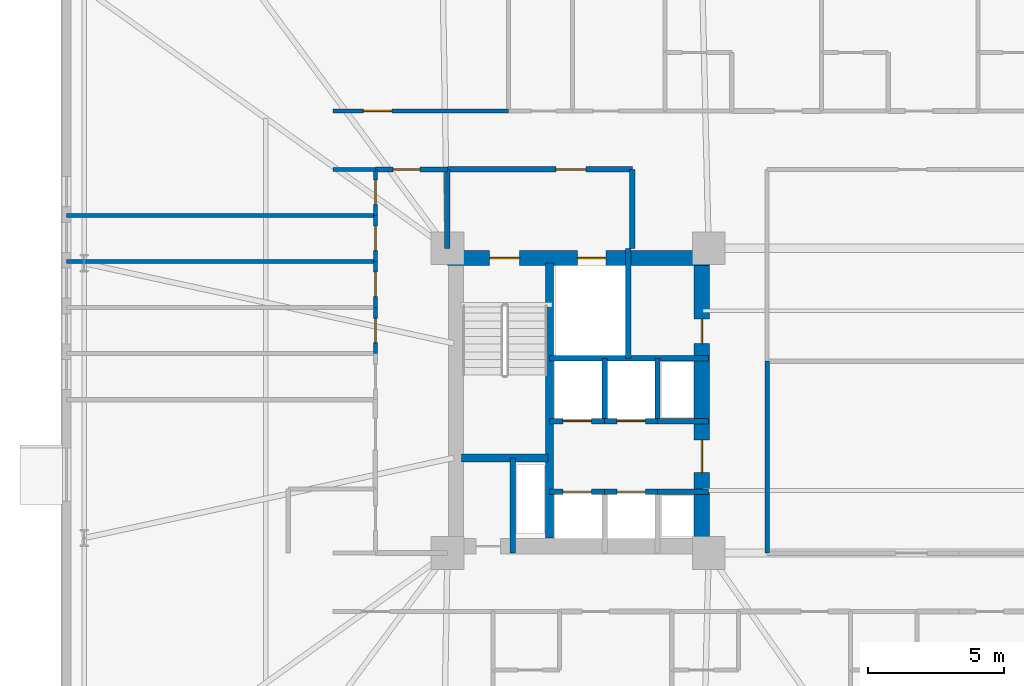
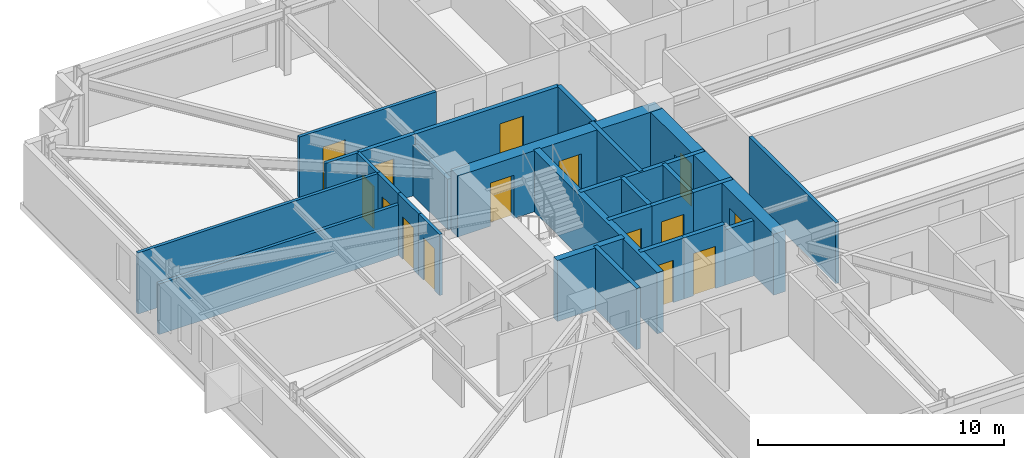
# One storey, part 15 of 21: 28 walls, 15 doors, 15 openings.
"""IFC4 building model written with IfcOpenShell, lengths in metres."""

from ifc_helpers import new_model, si_unit, direction, frame, frame_2d, origin, place, context, subcontext, project, spatial, rectangle, extrude, material, layer, layer_set, type_object, element, fill, save


model = new_model("IFC4")

# Units and contexts
model_context = context("Model", 3, precision=1e-05, world=origin(), true_north=direction((0.0, 1.0)))
body_context = subcontext(model_context, "Body", "Model", "MODEL_VIEW")
ifc_project = project(units=[si_unit("LENGTHUNIT", "METRE"), si_unit("AREAUNIT", "SQUARE_METRE"), si_unit("VOLUMEUNIT", "CUBIC_METRE"), si_unit("PLANEANGLEUNIT", "RADIAN"), si_unit("MASSUNIT", "GRAM", prefix="KILO")], contexts=[model_context])

# Site, building, storey
site_placement = place(None, origin())
site = spatial("IfcSite", under=ifc_project, at=site_placement, CompositionType="ELEMENT")
building_placement = place(site_placement, origin())
building = spatial("IfcBuilding", under=site, at=building_placement, Name="Qobustan Lattice House", CompositionType="ELEMENT")
storey_placement = place(building_placement, frame((0.0, 0.0, 57.14990234375)))
storey = spatial("IfcBuildingStorey", under=building, at=storey_placement, Name="L15", CompositionType="ELEMENT", Elevation=57.14990234375)

# Wall, openings, doors
ifc_material_1 = material(Name="Concrete C60/75", Category="concrete")
ifc_layer_1 = layer(ifc_material_1, 0.56005859375)
ifc_layer_set_1 = layer_set([ifc_layer_1], Name="Concrete C60/75")
wall_type_1 = type_object("IfcWallType", Name="WAL-CORE-600", PredefinedType="SHEAR", material=ifc_layer_set_1)
wall_1_placement = place(storey_placement, frame((-18.800048828125, 5.239990234375, 0.0), z_axis=(0.0, 0.0, 1.0), x_axis=(1.0, 0.0, 0.0)))
wall_1 = element("IfcWall", 1, at=wall_1_placement, inside=storey, type_object=wall_type_1, Name="L15 split-core shear wall CW-N", PredefinedType="SHEAR", context=body_context, shape_type="SweptSolid", body=[
    extrude(rectangle(XDim=9.60009765625, YDim=0.56005859375, at=frame_2d((4.800048828125, 0.0))), origin(), (0.0, 0.0, 1.0), 3.03515625),
])
opening_1_placement = place(wall_1_placement, frame((1.550048828125, 0.0, 0.0)))
opening_1 = element("IfcOpeningElement", 2, at=opening_1_placement, cuts=wall_1, Name="Opening SD-01", PredefinedType="OPENING", context=body_context, shape_type="SweptSolid", body=[
    extrude(rectangle(XDim=1.10009765625, YDim=2.14990234375, at=frame_2d((0.550048828125, 1.074951171875))), frame((0.0, 0.2900390625, 0.0), z_axis=(0.0, -1.0, 0.0), x_axis=(1.0, 0.0, 0.0)), (0.0, 0.0, 1.0), 0.580078125),
])
opening_2_placement = place(wall_1_placement, frame((4.77490234375, 0.0, 0.0)))
opening_2 = element("IfcOpeningElement", 3, at=opening_2_placement, cuts=wall_1, Name="Opening LD-01", PredefinedType="OPENING", context=body_context, shape_type="SweptSolid", body=[
    extrude(rectangle(XDim=1.050048828125, YDim=2.10009765625, at=frame_2d((0.52490234375, 1.050048828125))), frame((0.0, 0.2900390625, 0.0), z_axis=(0.0, -1.0, 0.0), x_axis=(1.0, 0.0, 0.0)), (0.0, 0.0, 1.0), 0.580078125),
])
ifc_material_2 = material(Name="Persian walnut timber and steel frame door", Category="steel")
door_type_1 = type_object("IfcDoorType", Name="DOR-LIFT-LD-1050x2100", OperationType="NOTDEFINED", PredefinedType="DOOR", material=ifc_material_2)
door_1_placement = place(opening_2_placement, origin())
door_1 = element("IfcDoor", 4, at=door_1_placement, inside=storey, type_object=door_type_1, Name="L15 firefighting lift FF-W landing door", OperationType="DOUBLE_DOOR_SLIDING", OverallHeight=2.10009765625, OverallWidth=1.050048828125, PredefinedType="DOOR", context=body_context, shape_type="SweptSolid", body=[
    extrude(rectangle(XDim=1.050048828125, YDim=2.10009765625, at=frame_2d((0.52490234375, 1.050048828125))), frame((0.0, 0.02490234375, 0.0), z_axis=(0.0, -1.0, 0.0), x_axis=(1.0, 0.0, 0.0)), (0.0, 0.0, 1.0), 0.050048828125),
])
fill(opening_2, door_1)
ifc_material_3 = material(Name="Persian walnut timber and steel frame door", Category="steel")
door_type_2 = type_object("IfcDoorType", Name="DOR-STAIR-FD-1100x2150", OperationType="NOTDEFINED", PredefinedType="DOOR", material=ifc_material_3)
door_2_placement = place(opening_1_placement, origin())
door_2 = element("IfcDoor", 5, at=door_2_placement, inside=storey, type_object=door_type_2, Name="L15 exit stair ST-W1 fire door", OperationType="SINGLE_SWING_RIGHT", OverallHeight=2.14990234375, OverallWidth=1.10009765625, PredefinedType="DOOR", context=body_context, shape_type="SweptSolid", body=[
    extrude(rectangle(XDim=1.10009765625, YDim=2.14990234375, at=frame_2d((0.550048828125, 1.074951171875))), frame((0.0, 0.02490234375, 0.0), z_axis=(0.0, -1.0, 0.0), x_axis=(1.0, 0.0, 0.0)), (0.0, 0.0, 1.0), 0.050048828125),
])
fill(opening_1, door_2)

wall_2_placement = place(storey_placement, frame((-9.449951171875, -5.050048828125, 0.0), z_axis=(0.0, 0.0, 1.0), x_axis=(0.0, 1.0, 0.0)))
wall_2 = element("IfcWall", 6, at=wall_2_placement, inside=storey, type_object=wall_type_1, Name="L15 split-core shear wall CW-E", PredefinedType="SHEAR", context=body_context, shape_type="SweptSolid", body=[
    extrude(rectangle(XDim=10.10009765625, YDim=0.56005859375, at=frame_2d((5.050048828125, 0.0))), origin(), (0.0, 0.0, 1.0), 3.03515625),
])
opening_3_placement = place(wall_2_placement, frame((7.14990234375, 0.0, 0.0)))
opening_3 = element("IfcOpeningElement", 7, at=opening_3_placement, cuts=wall_2, Name="Opening RD-01", PredefinedType="OPENING", context=body_context, shape_type="SweptSolid", body=[
    extrude(rectangle(XDim=0.89990234375, YDim=2.10009765625, at=frame_2d((0.449951171875, 1.050048828125))), frame((0.0, 0.2900390625, 0.0), z_axis=(0.0, -1.0, 0.0), x_axis=(1.0, 0.0, 0.0)), (0.0, 0.0, 1.0), 0.580078125),
])
opening_4_placement = place(wall_2_placement, frame((2.39990234375, 0.0, 0.0)))
opening_4 = element("IfcOpeningElement", 8, at=opening_4_placement, cuts=wall_2, Name="Opening FD-01", PredefinedType="OPENING", context=body_context, shape_type="SweptSolid", body=[
    extrude(rectangle(XDim=1.199951171875, YDim=2.14990234375, at=frame_2d((0.60009765625, 1.074951171875))), frame((0.0, 0.2900390625, 0.0), z_axis=(0.0, -1.0, 0.0), x_axis=(1.0, 0.0, 0.0)), (0.0, 0.0, 1.0), 0.580078125),
])
ifc_material_4 = material(Name="Persian walnut timber and steel frame door", Category="steel")
door_type_3 = type_object("IfcDoorType", Name="DOR-LOBBY-FD-1200x2150", OperationType="NOTDEFINED", PredefinedType="DOOR", material=ifc_material_4)
door_3_placement = place(opening_4_placement, origin())
door_3 = element("IfcDoor", 9, at=door_3_placement, inside=storey, type_object=door_type_3, Name="L15 West passenger lift lobby fire door", OperationType="SINGLE_SWING_RIGHT", OverallHeight=2.14990234375, OverallWidth=1.199951171875, PredefinedType="DOOR", context=body_context, shape_type="SweptSolid", body=[
    extrude(rectangle(XDim=1.199951171875, YDim=2.14990234375, at=frame_2d((0.60009765625, 1.074951171875))), frame((0.0, 0.02490234375, 0.0), z_axis=(0.0, -1.0, 0.0), x_axis=(1.0, 0.0, 0.0)), (0.0, 0.0, 1.0), 0.050048828125),
])
fill(opening_4, door_3)
ifc_material_5 = material(Name="Persian walnut timber and steel frame door", Category="steel")
door_type_4 = type_object("IfcDoorType", Name="DOR-RISER-FD-900x2100", OperationType="NOTDEFINED", PredefinedType="DOOR", material=ifc_material_5)
door_4_placement = place(opening_3_placement, origin())
door_4 = element("IfcDoor", 10, at=door_4_placement, inside=storey, type_object=door_type_4, Name="L15 Floor tea pantry fire door", OperationType="SINGLE_SWING_LEFT", OverallHeight=2.10009765625, OverallWidth=0.89990234375, PredefinedType="DOOR", context=body_context, shape_type="SweptSolid", body=[
    extrude(rectangle(XDim=0.89990234375, YDim=2.10009765625, at=frame_2d((0.449951171875, 1.050048828125))), frame((0.0, 0.02490234375, 0.0), z_axis=(0.0, -1.0, 0.0), x_axis=(1.0, 0.0, 0.0)), (0.0, 0.0, 1.0), 0.050048828125),
])
fill(opening_3, door_4)

# Walls
ifc_material_6 = material(Name="Concrete C50/60", Category="concrete")
ifc_layer_2 = layer(ifc_material_6, 0.280029296875)
ifc_layer_set_2 = layer_set([ifc_layer_2], Name="Concrete C50/60")
wall_type_2 = type_object("IfcWallType", Name="WAL-CORE-SPINE-280", PredefinedType="SHEAR", material=ifc_layer_set_2)
wall_3_placement = place(storey_placement, frame((-15.050048828125, -5.050048828125, 0.0), z_axis=(0.0, 0.0, 1.0), x_axis=(0.0, 1.0, 0.0)))
element("IfcWall", 11, at=wall_3_placement, inside=storey, type_object=wall_type_2, Name="L15 split-core shear wall CW-M", PredefinedType="SHEAR", context=body_context, shape_type="SweptSolid", body=[
    extrude(rectangle(XDim=10.10009765625, YDim=0.300048828125, at=frame_2d((5.050048828125, 0.0))), origin(), (0.0, 0.0, 1.0), 3.03515625),
])
wall_4_placement = place(storey_placement, frame((-18.280029296875, -2.110107421875, 0.0), z_axis=(0.0, 0.0, 1.0), x_axis=(1.0, 0.0, 0.0)))
element("IfcWall", 12, at=wall_4_placement, inside=storey, type_object=wall_type_2, Name="L15 split-core shear wall CW-ST", PredefinedType="SHEAR", context=body_context, shape_type="SweptSolid", body=[
    extrude(rectangle(XDim=3.179931640625, YDim=0.300048828125, at=frame_2d((1.58984375, 0.0))), origin(), (0.0, 0.0, 1.0), 3.03515625),
])

# Wall, opening, door
ifc_material_7 = material(Name="Gypsum fireboard acoustic partition", Category="gypsum")
ifc_layer_3 = layer(ifc_material_7, 0.179931640625)
ifc_layer_set_3 = layer_set([ifc_layer_3], Name="Gypsum fireboard acoustic partition")
wall_type_3 = type_object("IfcWallType", Name="WAL-FIRE-180", PredefinedType="PARTITIONING", material=ifc_layer_set_3)
wall_5_placement = place(storey_placement, frame((-18.800048828125, 8.5, 0.0), z_axis=(0.0, 0.0, 1.0), x_axis=(-1.0, 0.0, 0.0)))
wall_5 = element("IfcWall", 13, at=wall_5_placement, inside=storey, type_object=wall_type_3, Name="L15 interior partition 36", PredefinedType="PARTITIONING", context=body_context, shape_type="SweptSolid", body=[
    extrude(rectangle(XDim=2.64990234375, YDim=0.179931640625, at=frame_2d((1.324951171875, 0.0))), origin(), (0.0, 0.0, 1.0), 3.03515625),
])
opening_5_placement = place(wall_5_placement, frame((1.0087890625, 0.0, 0.0)))
opening_5 = element("IfcOpeningElement", 14, at=opening_5_placement, cuts=wall_5, Name="Opening FD-02", PredefinedType="OPENING", context=body_context, shape_type="SweptSolid", body=[
    extrude(rectangle(XDim=1.0, YDim=2.14990234375, at=frame_2d((0.5, 1.074951171875))), frame((0.0, 0.099853515625, 0.0), z_axis=(0.0, -1.0, 0.0), x_axis=(1.0, 0.0, 0.0)), (0.0, 0.0, 1.0), 0.199951171875),
])
ifc_material_8 = material(Name="Persian walnut timber and steel frame door", Category="steel")
door_type_5 = type_object("IfcDoorType", Name="DOR-UNIT-FD-1000x2150", OperationType="NOTDEFINED", PredefinedType="DOOR", material=ifc_material_8)
door_5_placement = place(opening_5_placement, origin())
door_5 = element("IfcDoor", 15, at=door_5_placement, inside=storey, type_object=door_type_5, Name="L15 North-west floor corridor to Residence entrance hall L15W door", OperationType="SINGLE_SWING_LEFT", OverallHeight=2.14990234375, OverallWidth=1.0, PredefinedType="DOOR", context=body_context, shape_type="SweptSolid", body=[
    extrude(rectangle(XDim=1.0, YDim=2.14990234375, at=frame_2d((0.5, 1.074951171875))), frame((0.0, 0.02490234375, 0.0), z_axis=(0.0, -1.0, 0.0), x_axis=(1.0, 0.0, 0.0)), (0.0, 0.0, 1.0), 0.050048828125),
])
fill(opening_5, door_5)

# Wall
ifc_material_9 = material(Name="Acoustic twin-stud gypsum partition", Category="gypsum")
ifc_layer_4 = layer(ifc_material_9, 0.14990234375)
ifc_layer_set_4 = layer_set([ifc_layer_4], Name="Acoustic twin-stud gypsum partition")
wall_type_4 = type_object("IfcWallType", Name="WAL-PART-150", PredefinedType="PARTITIONING", material=ifc_layer_set_4)
wall_6_placement = place(storey_placement, frame((-21.449951171875, 8.5, 0.0), z_axis=(0.0, 0.0, 1.0), x_axis=(-1.0, 0.0, 0.0)))
element("IfcWall", 16, at=wall_6_placement, inside=storey, type_object=wall_type_4, Name="L15 interior partition 37", PredefinedType="PARTITIONING", context=body_context, shape_type="SweptSolid", body=[
    extrude(rectangle(XDim=1.550048828125, YDim=0.14990234375, at=frame_2d((0.77490234375, 0.0))), origin(), (0.0, 0.0, 1.0), 3.03515625),
])

# Wall, opening, door
wall_7_placement = place(storey_placement, frame((-23.0, 10.64990234375, 0.0), z_axis=(0.0, 0.0, 1.0), x_axis=(1.0, 0.0, 0.0)))
wall_7 = element("IfcWall", 17, at=wall_7_placement, inside=storey, type_object=wall_type_4, Name="L15 interior partition 38", PredefinedType="PARTITIONING", context=body_context, shape_type="SweptSolid", body=[
    extrude(rectangle(XDim=6.449951171875, YDim=0.14990234375, at=frame_2d((3.22509765625, 0.0))), origin(), (0.0, 0.0, 1.0), 3.03515625),
])
opening_6_placement = place(wall_7_placement, frame((1.110107421875, 0.0, 0.0)))
opening_6 = element("IfcOpeningElement", 18, at=opening_6_placement, cuts=wall_7, Name="Opening ID-02", PredefinedType="OPENING", context=body_context, shape_type="SweptSolid", body=[
    extrude(rectangle(XDim=1.050048828125, YDim=2.14990234375, at=frame_2d((0.52490234375, 1.074951171875))), frame((0.0, 0.0849609375, 0.0), z_axis=(0.0, -1.0, 0.0), x_axis=(1.0, 0.0, 0.0)), (0.0, 0.0, 1.0), 0.169921875),
])
ifc_material_10 = material(Name="Persian walnut timber and steel frame door", Category="steel")
door_type_6 = type_object("IfcDoorType", Name="DOR-STUDY-1050x2150", OperationType="NOTDEFINED", PredefinedType="DOOR", material=ifc_material_10)
door_6_placement = place(opening_6_placement, origin())
door_6 = element("IfcDoor", 19, at=door_6_placement, inside=storey, type_object=door_type_6, Name="L15 North-west floor corridor to Focus study room N1 door", OperationType="SINGLE_SWING_RIGHT", OverallHeight=2.14990234375, OverallWidth=1.050048828125, PredefinedType="DOOR", context=body_context, shape_type="SweptSolid", body=[
    extrude(rectangle(XDim=1.050048828125, YDim=2.14990234375, at=frame_2d((0.52490234375, 1.074951171875))), frame((0.0, 0.02490234375, 0.0), z_axis=(0.0, -1.0, 0.0), x_axis=(1.0, 0.0, 0.0)), (0.0, 0.0, 1.0), 0.050048828125),
])
fill(opening_6, door_6)

wall_8_placement = place(storey_placement, frame((-21.449951171875, 1.73193359375, 0.0), z_axis=(0.0, 0.0, 1.0), x_axis=(0.0, 1.0, 0.0)))
wall_8 = element("IfcWall", 20, at=wall_8_placement, inside=storey, type_object=wall_type_4, Name="L15 interior partition 84", PredefinedType="PARTITIONING", context=body_context, shape_type="SweptSolid", body=[
    extrude(rectangle(XDim=1.692138671875, YDim=0.14990234375, at=frame_2d((0.84619140625, 0.0))), origin(), (0.0, 0.0, 1.0), 3.03515625),
])
opening_7_placement = place(wall_8_placement, frame((0.39599609375, 0.0, 0.0)))
opening_7 = element("IfcOpeningElement", 21, at=opening_7_placement, cuts=wall_8, Name="Opening WD-01", PredefinedType="OPENING", context=body_context, shape_type="SweptSolid", body=[
    extrude(rectangle(XDim=0.89990234375, YDim=2.10009765625, at=frame_2d((0.449951171875, 1.050048828125))), frame((0.0, 0.0849609375, 0.0), z_axis=(0.0, -1.0, 0.0), x_axis=(1.0, 0.0, 0.0)), (0.0, 0.0, 1.0), 0.169921875),
])
ifc_material_11 = material(Name="Persian walnut timber and steel frame door", Category="steel")
door_type_7 = type_object("IfcDoorType", Name="DOR-WET-900x2100", OperationType="NOTDEFINED", PredefinedType="DOOR", material=ifc_material_11)
door_7_placement = place(opening_7_placement, origin())
door_7 = element("IfcDoor", 22, at=door_7_placement, inside=storey, type_object=door_type_7, Name="L15 Residence entrance hall L15W to Cluster bedroom L15W2 door", OperationType="SINGLE_SWING_LEFT", OverallHeight=2.10009765625, OverallWidth=0.89990234375, PredefinedType="DOOR", context=body_context, shape_type="SweptSolid", body=[
    extrude(rectangle(XDim=0.89990234375, YDim=2.10009765625, at=frame_2d((0.449951171875, 1.050048828125))), frame((0.0, 0.02490234375, 0.0), z_axis=(0.0, -1.0, 0.0), x_axis=(1.0, 0.0, 0.0)), (0.0, 0.0, 1.0), 0.050048828125),
])
fill(opening_7, door_7)

wall_9_placement = place(storey_placement, frame((-21.449951171875, 3.424072265625, 0.0), z_axis=(0.0, 0.0, 1.0), x_axis=(0.0, 1.0, 0.0)))
wall_9 = element("IfcWall", 23, at=wall_9_placement, inside=storey, type_object=wall_type_4, Name="L15 interior partition 85", PredefinedType="PARTITIONING", context=body_context, shape_type="SweptSolid", body=[
    extrude(rectangle(XDim=1.69189453125, YDim=0.14990234375, at=frame_2d((0.845947265625, 0.0))), origin(), (0.0, 0.0, 1.0), 3.03515625),
])
opening_8_placement = place(wall_9_placement, frame((0.39599609375, 0.0, 0.0)))
opening_8 = element("IfcOpeningElement", 24, at=opening_8_placement, cuts=wall_9, Name="Opening WD-01", PredefinedType="OPENING", context=body_context, shape_type="SweptSolid", body=[
    extrude(rectangle(XDim=0.89990234375, YDim=2.10009765625, at=frame_2d((0.449951171875, 1.050048828125))), frame((0.0, 0.0849609375, 0.0), z_axis=(0.0, -1.0, 0.0), x_axis=(1.0, 0.0, 0.0)), (0.0, 0.0, 1.0), 0.169921875),
])
door_8_placement = place(opening_8_placement, origin())
door_8 = element("IfcDoor", 25, at=door_8_placement, inside=storey, type_object=door_type_7, Name="L15 Residence entrance hall L15W to Cluster bedroom L15W3 door", OperationType="SINGLE_SWING_RIGHT", OverallHeight=2.10009765625, OverallWidth=0.89990234375, PredefinedType="DOOR", context=body_context, shape_type="SweptSolid", body=[
    extrude(rectangle(XDim=0.89990234375, YDim=2.10009765625, at=frame_2d((0.449951171875, 1.050048828125))), frame((0.0, 0.02490234375, 0.0), z_axis=(0.0, -1.0, 0.0), x_axis=(1.0, 0.0, 0.0)), (0.0, 0.0, 1.0), 0.050048828125),
])
fill(opening_8, door_8)

wall_10_placement = place(storey_placement, frame((-21.449951171875, 5.115966796875, 0.0), z_axis=(0.0, 0.0, 1.0), x_axis=(0.0, 1.0, 0.0)))
wall_10 = element("IfcWall", 26, at=wall_10_placement, inside=storey, type_object=wall_type_4, Name="L15 interior partition 86", PredefinedType="PARTITIONING", context=body_context, shape_type="SweptSolid", body=[
    extrude(rectangle(XDim=1.692138671875, YDim=0.14990234375, at=frame_2d((0.84619140625, 0.0))), origin(), (0.0, 0.0, 1.0), 3.03515625),
])
opening_9_placement = place(wall_10_placement, frame((0.39599609375, 0.0, 0.0)))
opening_9 = element("IfcOpeningElement", 27, at=opening_9_placement, cuts=wall_10, Name="Opening WD-01", PredefinedType="OPENING", context=body_context, shape_type="SweptSolid", body=[
    extrude(rectangle(XDim=0.89990234375, YDim=2.10009765625, at=frame_2d((0.449951171875, 1.050048828125))), frame((0.0, 0.0849609375, 0.0), z_axis=(0.0, -1.0, 0.0), x_axis=(1.0, 0.0, 0.0)), (0.0, 0.0, 1.0), 0.169921875),
])
door_9_placement = place(opening_9_placement, origin())
door_9 = element("IfcDoor", 28, at=door_9_placement, inside=storey, type_object=door_type_7, Name="L15 Residence entrance hall L15W to Cluster bedroom L15W4 door", OperationType="SINGLE_SWING_LEFT", OverallHeight=2.10009765625, OverallWidth=0.89990234375, PredefinedType="DOOR", context=body_context, shape_type="SweptSolid", body=[
    extrude(rectangle(XDim=0.89990234375, YDim=2.10009765625, at=frame_2d((0.449951171875, 1.050048828125))), frame((0.0, 0.02490234375, 0.0), z_axis=(0.0, -1.0, 0.0), x_axis=(1.0, 0.0, 0.0)), (0.0, 0.0, 1.0), 0.050048828125),
])
fill(opening_9, door_9)

wall_11_placement = place(storey_placement, frame((-21.449951171875, 6.80810546875, 0.0), z_axis=(0.0, 0.0, 1.0), x_axis=(0.0, 1.0, 0.0)))
wall_11 = element("IfcWall", 29, at=wall_11_placement, inside=storey, type_object=wall_type_4, Name="L15 interior partition 87", PredefinedType="PARTITIONING", context=body_context, shape_type="SweptSolid", body=[
    extrude(rectangle(XDim=1.69189453125, YDim=0.14990234375, at=frame_2d((0.845947265625, 0.0))), origin(), (0.0, 0.0, 1.0), 3.03515625),
])
opening_10_placement = place(wall_11_placement, frame((0.39599609375, 0.0, 0.0)))
opening_10 = element("IfcOpeningElement", 30, at=opening_10_placement, cuts=wall_11, Name="Opening WD-01", PredefinedType="OPENING", context=body_context, shape_type="SweptSolid", body=[
    extrude(rectangle(XDim=0.89990234375, YDim=2.10009765625, at=frame_2d((0.449951171875, 1.050048828125))), frame((0.0, 0.0849609375, 0.0), z_axis=(0.0, -1.0, 0.0), x_axis=(1.0, 0.0, 0.0)), (0.0, 0.0, 1.0), 0.169921875),
])
door_10_placement = place(opening_10_placement, origin())
door_10 = element("IfcDoor", 31, at=door_10_placement, inside=storey, type_object=door_type_7, Name="L15 Residence entrance hall L15W to Cluster bedroom L15W5 door", OperationType="SINGLE_SWING_RIGHT", OverallHeight=2.10009765625, OverallWidth=0.89990234375, PredefinedType="DOOR", context=body_context, shape_type="SweptSolid", body=[
    extrude(rectangle(XDim=0.89990234375, YDim=2.10009765625, at=frame_2d((0.449951171875, 1.050048828125))), frame((0.0, 0.02490234375, 0.0), z_axis=(0.0, -1.0, 0.0), x_axis=(1.0, 0.0, 0.0)), (0.0, 0.0, 1.0), 0.050048828125),
])
fill(opening_10, door_10)

# Walls
wall_12_placement = place(storey_placement, frame((-32.800048828125, 5.115966796875, 0.0), z_axis=(0.0, 0.0, 1.0), x_axis=(1.0, 0.0, 0.0)))
element("IfcWall", 32, at=wall_12_placement, inside=storey, type_object=wall_type_4, Name="L15 interior partition 93", PredefinedType="PARTITIONING", context=body_context, shape_type="SweptSolid", body=[
    extrude(rectangle(XDim=11.35009765625, YDim=0.14990234375, at=frame_2d((5.675048828125, 0.0))), origin(), (0.0, 0.0, 1.0), 2.52001953125),
])
wall_13_placement = place(storey_placement, frame((-32.800048828125, 6.80810546875, 0.0), z_axis=(0.0, 0.0, 1.0), x_axis=(1.0, 0.0, 0.0)))
element("IfcWall", 33, at=wall_13_placement, inside=storey, type_object=wall_type_4, Name="L15 interior partition 94", PredefinedType="PARTITIONING", context=body_context, shape_type="SweptSolid", body=[
    extrude(rectangle(XDim=11.35009765625, YDim=0.14990234375, at=frame_2d((5.675048828125, 0.0))), origin(), (0.0, 0.0, 1.0), 3.03515625),
])
ifc_material_12 = material(Name="High-mass acoustic twin-stud partition", Category="gypsum")
ifc_layer_5 = layer(ifc_material_12, 0.1650390625)
ifc_layer_set_5 = layer_set([ifc_layer_5], Name="High-mass acoustic twin-stud partition")
wall_type_5 = type_object("IfcWallType", Name="WAL-PART-165", PredefinedType="PARTITIONING", material=ifc_layer_set_5)
wall_14_placement = place(storey_placement, frame((-7.050048828125, 1.449951171875, 0.0), z_axis=(0.0, 0.0, 1.0), x_axis=(0.0, -1.0, 0.0)))
element("IfcWall", 34, at=wall_14_placement, inside=storey, type_object=wall_type_5, Name="L15 interior partition 77", PredefinedType="PARTITIONING", context=body_context, shape_type="SweptSolid", body=[
    extrude(rectangle(XDim=7.050048828125, YDim=0.1650390625, at=frame_2d((3.52490234375, 0.0))), origin(), (0.0, 0.0, 1.0), 3.03515625),
])

# Wall, opening, door
ifc_material_13 = material(Name="Two-hour gypsum fireboard acoustic partition", Category="gypsum")
ifc_layer_6 = layer(ifc_material_13, 0.199951171875)
ifc_layer_set_6 = layer_set([ifc_layer_6], Name="Two-hour gypsum fireboard acoustic partition")
wall_type_6 = type_object("IfcWallType", Name="WAL-PROT-200", PredefinedType="PARTITIONING", material=ifc_layer_set_6)
wall_15_placement = place(storey_placement, frame((-12.0, 8.5, 0.0), z_axis=(0.0, 0.0, 1.0), x_axis=(-1.0, 0.0, 0.0)))
wall_15 = element("IfcWall", 35, at=wall_15_placement, inside=storey, type_object=wall_type_6, Name="L15 interior partition 3", PredefinedType="PARTITIONING", context=body_context, shape_type="SweptSolid", body=[
    extrude(rectangle(XDim=6.800048828125, YDim=0.199951171875, at=frame_2d((3.39990234375, 0.0))), origin(), (0.0, 0.0, 1.0), 3.03515625),
])
opening_11_placement = place(wall_15_placement, frame((1.715087890625, 0.0, 0.0)))
opening_11 = element("IfcOpeningElement", 36, at=opening_11_placement, cuts=wall_15, Name="Opening SD-01", PredefinedType="OPENING", context=body_context, shape_type="SweptSolid", body=[
    extrude(rectangle(XDim=1.10009765625, YDim=2.14990234375, at=frame_2d((0.550048828125, 1.074951171875))), frame((0.0, 0.10986328125, 0.0), z_axis=(0.0, -1.0, 0.0), x_axis=(1.0, 0.0, 0.0)), (0.0, 0.0, 1.0), 0.219970703125),
])
door_11_placement = place(opening_11_placement, origin())
door_11 = element("IfcDoor", 37, at=door_11_placement, inside=storey, type_object=door_type_2, Name="L15 West firefighting lift lobby to North-west floor corridor door", OperationType="SINGLE_SWING_RIGHT", OverallHeight=2.14990234375, OverallWidth=1.10009765625, PredefinedType="DOOR", context=body_context, shape_type="SweptSolid", body=[
    extrude(rectangle(XDim=1.10009765625, YDim=2.14990234375, at=frame_2d((0.550048828125, 1.074951171875))), frame((0.0, 0.02490234375, 0.0), z_axis=(0.0, -1.0, 0.0), x_axis=(1.0, 0.0, 0.0)), (0.0, 0.0, 1.0), 0.050048828125),
])
fill(opening_11, door_11)

# Walls
wall_16_placement = place(storey_placement, frame((-12.0, 5.60009765625, 0.0), z_axis=(0.0, 0.0, 1.0), x_axis=(0.0, 1.0, 0.0)))
element("IfcWall", 38, at=wall_16_placement, inside=storey, type_object=wall_type_6, Name="L15 interior partition 4", PredefinedType="PARTITIONING", context=body_context, shape_type="SweptSolid", body=[
    extrude(rectangle(XDim=2.89990234375, YDim=0.199951171875, at=frame_2d((1.449951171875, 0.0))), origin(), (0.0, 0.0, 1.0), 3.03515625),
])
wall_17_placement = place(storey_placement, frame((-18.800048828125, 8.5, 0.0), z_axis=(0.0, 0.0, 1.0), x_axis=(0.0, -1.0, 0.0)))
element("IfcWall", 39, at=wall_17_placement, inside=storey, type_object=wall_type_6, Name="L15 interior partition 5", PredefinedType="PARTITIONING", context=body_context, shape_type="SweptSolid", body=[
    extrude(rectangle(XDim=2.89990234375, YDim=0.199951171875, at=frame_2d((1.449951171875, 0.0))), origin(), (0.0, 0.0, 1.0), 2.52001953125),
])
ifc_material_14 = material(Name="Concrete C40/50", Category="concrete")
ifc_layer_7 = layer(ifc_material_14, 0.199951171875)
ifc_layer_set_7 = layer_set([ifc_layer_7], Name="Concrete C40/50")
wall_type_7 = type_object("IfcWallType", Name="WAL-SHAFT-200", PredefinedType="PARTITIONING", material=ifc_layer_set_7)
wall_18_placement = place(storey_placement, frame((-16.39990234375, -5.60009765625, 0.0), z_axis=(0.0, 0.0, 1.0), x_axis=(0.0, 1.0, 0.0)))
element("IfcWall", 40, at=wall_18_placement, inside=storey, type_object=wall_type_7, Name="L15 interior partition 1", PredefinedType="PARTITIONING", context=body_context, shape_type="SweptSolid", body=[
    extrude(rectangle(XDim=3.489990234375, YDim=0.199951171875, at=frame_2d((1.7451171875, 0.0))), origin(), (0.0, 0.0, 1.0), 3.03515625),
])
wall_19_placement = place(storey_placement, frame((-12.14990234375, 1.550048828125, 0.0), z_axis=(0.0, 0.0, 1.0), x_axis=(0.0, 1.0, 0.0)))
element("IfcWall", 41, at=wall_19_placement, inside=storey, type_object=wall_type_7, Name="L15 interior partition 2", PredefinedType="PARTITIONING", context=body_context, shape_type="SweptSolid", body=[
    extrude(rectangle(XDim=4.050048828125, YDim=0.199951171875, at=frame_2d((2.02490234375, 0.0))), origin(), (0.0, 0.0, 1.0), 3.03515625),
])

# Wall, opening, door
wall_20_placement = place(storey_placement, frame((-15.050048828125, -3.35009765625, 0.0), z_axis=(0.0, 0.0, 1.0), x_axis=(1.0, 0.0, 0.0)))
wall_20 = element("IfcWall", 42, at=wall_20_placement, inside=storey, type_object=wall_type_7, Name="L15 interior partition 7", PredefinedType="PARTITIONING", context=body_context, shape_type="SweptSolid", body=[
    extrude(rectangle(XDim=2.030029296875, YDim=0.199951171875, at=frame_2d((1.01513671875, 0.0))), origin(), (0.0, 0.0, 1.0), 3.03515625),
])
opening_12_placement = place(wall_20_placement, frame((0.489990234375, 0.0, 0.0)))
opening_12 = element("IfcOpeningElement", 43, at=opening_12_placement, cuts=wall_20, Name="Opening LD-01", PredefinedType="OPENING", context=body_context, shape_type="SweptSolid", body=[
    extrude(rectangle(XDim=1.050048828125, YDim=2.10009765625, at=frame_2d((0.52490234375, 1.050048828125))), frame((0.0, 0.10986328125, 0.0), z_axis=(0.0, -1.0, 0.0), x_axis=(1.0, 0.0, 0.0)), (0.0, 0.0, 1.0), 0.219970703125),
])
door_12_placement = place(opening_12_placement, origin())
door_12 = element("IfcDoor", 44, at=door_12_placement, inside=storey, type_object=door_type_1, Name="L15 lift landing door", OperationType="DOUBLE_DOOR_SLIDING", OverallHeight=2.10009765625, OverallWidth=1.050048828125, PredefinedType="DOOR", context=body_context, shape_type="SweptSolid", body=[
    extrude(rectangle(XDim=1.050048828125, YDim=2.10009765625, at=frame_2d((0.52490234375, 1.050048828125))), frame((0.0, 0.02490234375, 0.0), z_axis=(0.0, -1.0, 0.0), x_axis=(1.0, 0.0, 0.0)), (0.0, 0.0, 1.0), 0.050048828125),
])
fill(opening_12, door_12)

wall_21_placement = place(storey_placement, frame((-13.02001953125, -3.35009765625, 0.0), z_axis=(0.0, 0.0, 1.0), x_axis=(1.0, 0.0, 0.0)))
wall_21 = element("IfcWall", 45, at=wall_21_placement, inside=storey, type_object=wall_type_7, Name="L15 interior partition 8", PredefinedType="PARTITIONING", context=body_context, shape_type="SweptSolid", body=[
    extrude(rectangle(XDim=1.93994140625, YDim=0.199951171875, at=frame_2d((0.969970703125, 0.0))), origin(), (0.0, 0.0, 1.0), 3.03515625),
])
opening_13_placement = place(wall_21_placement, frame((0.445068359375, 0.0, 0.0)))
opening_13 = element("IfcOpeningElement", 46, at=opening_13_placement, cuts=wall_21, Name="Opening LD-01", PredefinedType="OPENING", context=body_context, shape_type="SweptSolid", body=[
    extrude(rectangle(XDim=1.050048828125, YDim=2.10009765625, at=frame_2d((0.52490234375, 1.050048828125))), frame((0.0, 0.10986328125, 0.0), z_axis=(0.0, -1.0, 0.0), x_axis=(1.0, 0.0, 0.0)), (0.0, 0.0, 1.0), 0.219970703125),
])
door_13_placement = place(opening_13_placement, origin())
door_13 = element("IfcDoor", 47, at=door_13_placement, inside=storey, type_object=door_type_1, Name="L15 lift landing door", OperationType="DOUBLE_DOOR_SLIDING", OverallHeight=2.10009765625, OverallWidth=1.050048828125, PredefinedType="DOOR", context=body_context, shape_type="SweptSolid", body=[
    extrude(rectangle(XDim=1.050048828125, YDim=2.10009765625, at=frame_2d((0.52490234375, 1.050048828125))), frame((0.0, 0.02490234375, 0.0), z_axis=(0.0, -1.0, 0.0), x_axis=(1.0, 0.0, 0.0)), (0.0, 0.0, 1.0), 0.050048828125),
])
fill(opening_13, door_13)

# Wall
wall_22_placement = place(storey_placement, frame((-11.080078125, -3.35009765625, 0.0), z_axis=(0.0, 0.0, 1.0), x_axis=(1.0, 0.0, 0.0)))
element("IfcWall", 48, at=wall_22_placement, inside=storey, type_object=wall_type_7, Name="L15 interior partition 9", PredefinedType="PARTITIONING", context=body_context, shape_type="SweptSolid", body=[
    extrude(rectangle(XDim=1.880126953125, YDim=0.199951171875, at=frame_2d((0.93994140625, 0.0))), origin(), (0.0, 0.0, 1.0), 2.75),
])

# Wall, opening, door
wall_23_placement = place(storey_placement, frame((-13.02001953125, -0.75, 0.0), z_axis=(0.0, 0.0, 1.0), x_axis=(-1.0, 0.0, 0.0)))
wall_23 = element("IfcWall", 49, at=wall_23_placement, inside=storey, type_object=wall_type_7, Name="L15 interior partition 10", PredefinedType="PARTITIONING", context=body_context, shape_type="SweptSolid", body=[
    extrude(rectangle(XDim=2.030029296875, YDim=0.199951171875, at=frame_2d((1.01513671875, 0.0))), origin(), (0.0, 0.0, 1.0), 3.03515625),
])
opening_14_placement = place(wall_23_placement, frame((0.489990234375, 0.0, 0.0)))
opening_14 = element("IfcOpeningElement", 50, at=opening_14_placement, cuts=wall_23, Name="Opening LD-01", PredefinedType="OPENING", context=body_context, shape_type="SweptSolid", body=[
    extrude(rectangle(XDim=1.050048828125, YDim=2.10009765625, at=frame_2d((0.52490234375, 1.050048828125))), frame((0.0, 0.10986328125, 0.0), z_axis=(0.0, -1.0, 0.0), x_axis=(1.0, 0.0, 0.0)), (0.0, 0.0, 1.0), 0.219970703125),
])
door_14_placement = place(opening_14_placement, origin())
door_14 = element("IfcDoor", 51, at=door_14_placement, inside=storey, type_object=door_type_1, Name="L15 lift landing door", OperationType="DOUBLE_DOOR_SLIDING", OverallHeight=2.10009765625, OverallWidth=1.050048828125, PredefinedType="DOOR", context=body_context, shape_type="SweptSolid", body=[
    extrude(rectangle(XDim=1.050048828125, YDim=2.10009765625, at=frame_2d((0.52490234375, 1.050048828125))), frame((0.0, 0.02490234375, 0.0), z_axis=(0.0, -1.0, 0.0), x_axis=(1.0, 0.0, 0.0)), (0.0, 0.0, 1.0), 0.050048828125),
])
fill(opening_14, door_14)

wall_24_placement = place(storey_placement, frame((-11.080078125, -0.75, 0.0), z_axis=(0.0, 0.0, 1.0), x_axis=(-1.0, 0.0, 0.0)))
wall_24 = element("IfcWall", 52, at=wall_24_placement, inside=storey, type_object=wall_type_7, Name="L15 interior partition 11", PredefinedType="PARTITIONING", context=body_context, shape_type="SweptSolid", body=[
    extrude(rectangle(XDim=1.93994140625, YDim=0.199951171875, at=frame_2d((0.969970703125, 0.0))), origin(), (0.0, 0.0, 1.0), 3.03515625),
])
opening_15_placement = place(wall_24_placement, frame((0.445068359375, 0.0, 0.0)))
opening_15 = element("IfcOpeningElement", 53, at=opening_15_placement, cuts=wall_24, Name="Opening LD-01", PredefinedType="OPENING", context=body_context, shape_type="SweptSolid", body=[
    extrude(rectangle(XDim=1.050048828125, YDim=2.10009765625, at=frame_2d((0.52490234375, 1.050048828125))), frame((0.0, 0.10986328125, 0.0), z_axis=(0.0, -1.0, 0.0), x_axis=(1.0, 0.0, 0.0)), (0.0, 0.0, 1.0), 0.219970703125),
])
door_15_placement = place(opening_15_placement, origin())
door_15 = element("IfcDoor", 54, at=door_15_placement, inside=storey, type_object=door_type_1, Name="L15 lift landing door", OperationType="DOUBLE_DOOR_SLIDING", OverallHeight=2.10009765625, OverallWidth=1.050048828125, PredefinedType="DOOR", context=body_context, shape_type="SweptSolid", body=[
    extrude(rectangle(XDim=1.050048828125, YDim=2.10009765625, at=frame_2d((0.52490234375, 1.050048828125))), frame((0.0, 0.02490234375, 0.0), z_axis=(0.0, -1.0, 0.0), x_axis=(1.0, 0.0, 0.0)), (0.0, 0.0, 1.0), 0.050048828125),
])
fill(opening_15, door_15)

# Walls
wall_25_placement = place(storey_placement, frame((-9.199951171875, -0.75, 0.0), z_axis=(0.0, 0.0, 1.0), x_axis=(-1.0, 0.0, 0.0)))
element("IfcWall", 55, at=wall_25_placement, inside=storey, type_object=wall_type_7, Name="L15 interior partition 12", PredefinedType="PARTITIONING", context=body_context, shape_type="SweptSolid", body=[
    extrude(rectangle(XDim=1.880126953125, YDim=0.199951171875, at=frame_2d((0.93994140625, 0.0))), origin(), (0.0, 0.0, 1.0), 3.03515625),
])
for number, where, z_axis, x_axis, name in (
    (56, (-13.02001953125, -0.75, 0.0), (0.0, 0.0, 1.0), (0.0, 1.0, 0.0), "L15 interior partition 16"),
    (57, (-11.080078125, -0.75, 0.0), (0.0, 0.0, 1.0), (0.0, 1.0, 0.0), "L15 interior partition 17"),
):
    element("IfcWall", number, at=place(storey_placement, frame(where, z_axis=z_axis, x_axis=x_axis)), inside=storey, type_object=wall_type_7, Name=name, PredefinedType="PARTITIONING", context=body_context, shape_type="SweptSolid", body=[
        extrude(rectangle(XDim=2.300048828125, YDim=0.199951171875, at=frame_2d((1.14990234375, 0.0))), origin(), (0.0, 0.0, 1.0), 3.03515625),
    ])
wall_26_placement = place(storey_placement, frame((-15.050048828125, 1.550048828125, 0.0), z_axis=(0.0, 0.0, 1.0), x_axis=(1.0, 0.0, 0.0)))
element("IfcWall", 58, at=wall_26_placement, inside=storey, type_object=wall_type_7, Name="L15 interior partition 155", PredefinedType="PARTITIONING", context=body_context, shape_type="SweptSolid", body=[
    extrude(rectangle(XDim=5.85009765625, YDim=0.199951171875, at=frame_2d((2.925048828125, 0.0))), origin(), (0.0, 0.0, 1.0), 3.03515625),
])

save(model, "model.ifc")
